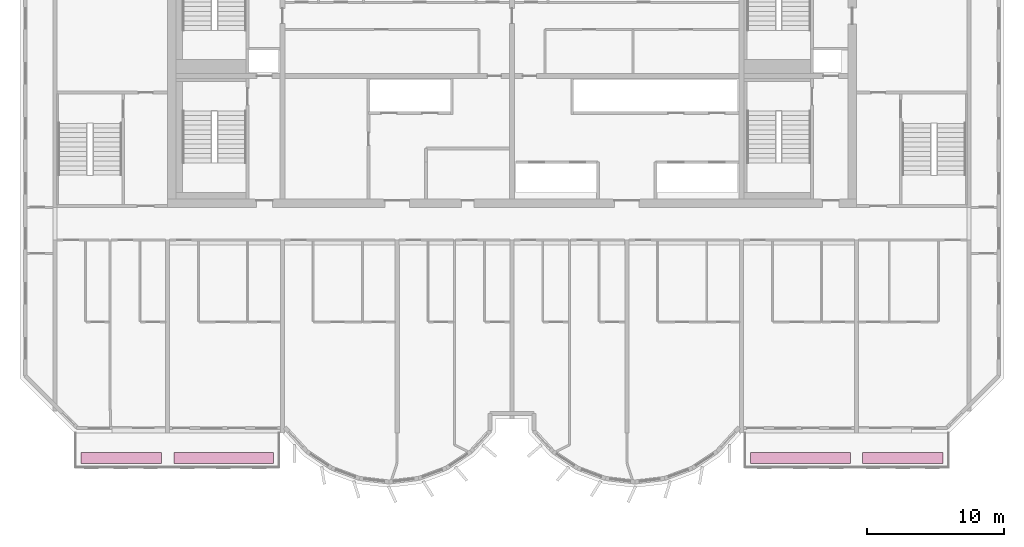
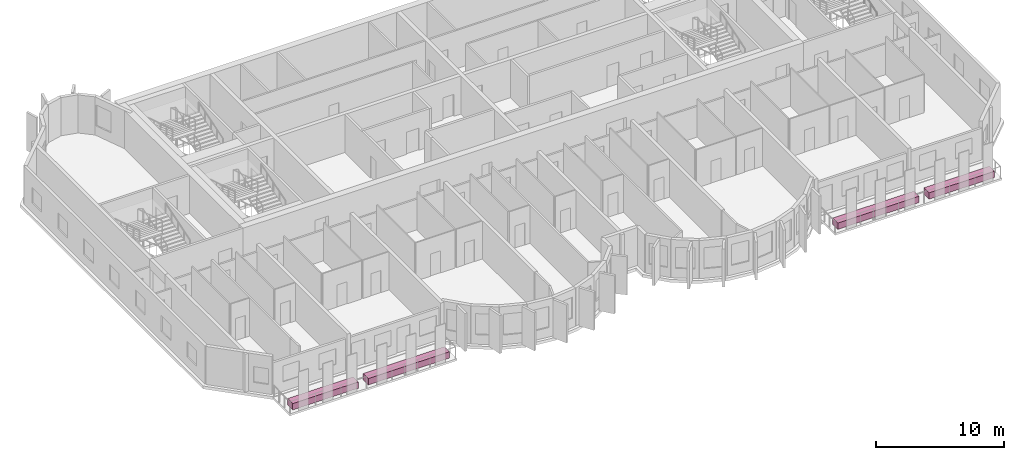
# One storey, part 11 of 11: 4 furniture elements.
"""IFC4 building model written with IfcOpenShell, lengths in metres."""

from ifc_helpers import new_model, si_unit, direction, frame, origin, origin_2d, place, context, subcontext, project, spatial, rectangle, extrude, source, transform, mapped, material, type_object, element, save


model = new_model("IFC4")

# Units and contexts
model_context = context("Model", 3, precision=1e-05, world=origin(), true_north=direction((0.0, 1.0)))
body_context = subcontext(model_context, "Body", "Model", "MODEL_VIEW")
ifc_project = project(units=[si_unit("LENGTHUNIT", "METRE"), si_unit("AREAUNIT", "SQUARE_METRE"), si_unit("VOLUMEUNIT", "CUBIC_METRE"), si_unit("PLANEANGLEUNIT", "RADIAN"), si_unit("MASSUNIT", "GRAM", prefix="KILO")], contexts=[model_context])

# Site, building, storey
site_placement = place(None, origin())
site = spatial("IfcSite", under=ifc_project, at=site_placement, CompositionType="ELEMENT")
building_placement = place(site_placement, origin())
building = spatial("IfcBuilding", under=site, at=building_placement, Name="Vanashikhar Sky Hotel", CompositionType="ELEMENT")
storey_placement = place(building_placement, frame((0.0, 0.0, 256.89990234375)))
storey = spatial("IfcBuildingStorey", under=building, at=storey_placement, Name="L62", CompositionType="ELEMENT", Elevation=256.89990234375)

# Furniture
ifc_material = material(Name="Planting soil and shrubs")
furniture_type = type_object("IfcFurnitureType", Name="Planter trough", AssemblyPlace="NOTDEFINED", PredefinedType="USERDEFINED", material=ifc_material)
shared_shape_1 = source(origin(), body_context, "Body", "SweptSolid", [
    extrude(rectangle(XDim=7.300048828125, YDim=0.800048828125, at=origin_2d()), origin(), (0.0, 0.0, 1.0), 0.60009765625),
])
for number, where, z_axis, x_axis, name in (
    (1, (29.300048828125, 3.64990234375, -0.050048828125), (0.0, 0.0, 1.0), (1.0, 0.0, 0.0), "PLANTER with climbers"),
    (2, (71.5, 3.64990234375, -0.050048828125), (0.0, 0.0, 1.0), (1.0, 0.0, 0.0), "PLANTER with climbers"),
):
    element("IfcFurniture", number, at=place(storey_placement, frame(where, z_axis=z_axis, x_axis=x_axis)), inside=storey, type_object=furniture_type, Name=name, ObjectType="PLANTER", PredefinedType="USERDEFINED", context=body_context, shape_type="MappedRepresentation", body=[
        mapped(shared_shape_1, transform((0.0, 0.0, 0.0), scale=1.0)),
    ])
shared_shape_2 = source(origin(), body_context, "Body", "SweptSolid", [
    extrude(rectangle(XDim=5.89990234375, YDim=0.800048828125, at=origin_2d()), origin(), (0.0, 0.0, 1.0), 0.60009765625),
])
for number, where, z_axis, x_axis, name in (
    (3, (21.800048828125, 3.64990234375, -0.050048828125), (0.0, 0.0, 1.0), (1.0, 0.0, 0.0), "PLANTER with climbers"),
    (4, (79.0, 3.64990234375, -0.050048828125), (0.0, 0.0, 1.0), (1.0, 0.0, 0.0), "PLANTER with climbers"),
):
    element("IfcFurniture", number, at=place(storey_placement, frame(where, z_axis=z_axis, x_axis=x_axis)), inside=storey, type_object=furniture_type, Name=name, ObjectType="PLANTER", PredefinedType="USERDEFINED", context=body_context, shape_type="MappedRepresentation", body=[
        mapped(shared_shape_2, transform((0.0, 0.0, 0.0), scale=1.0)),
    ])

save(model, "model.ifc")
